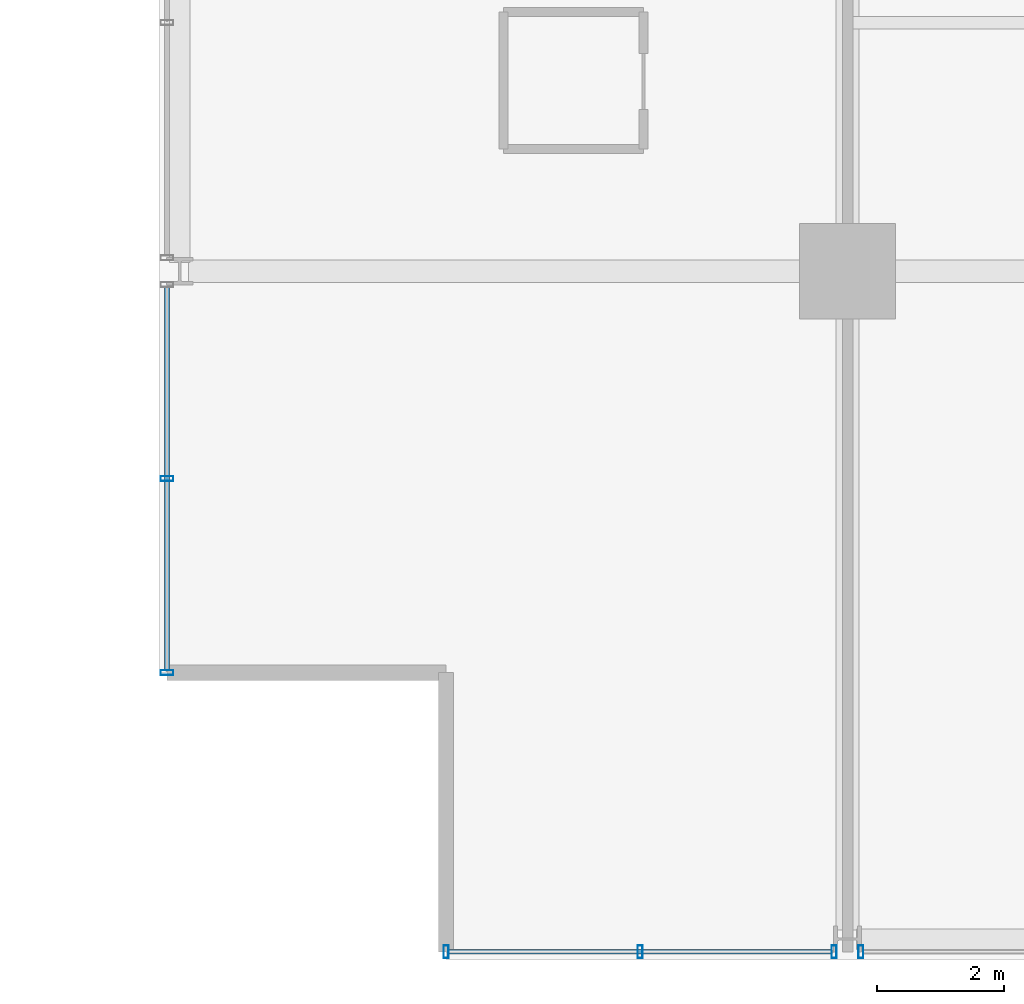
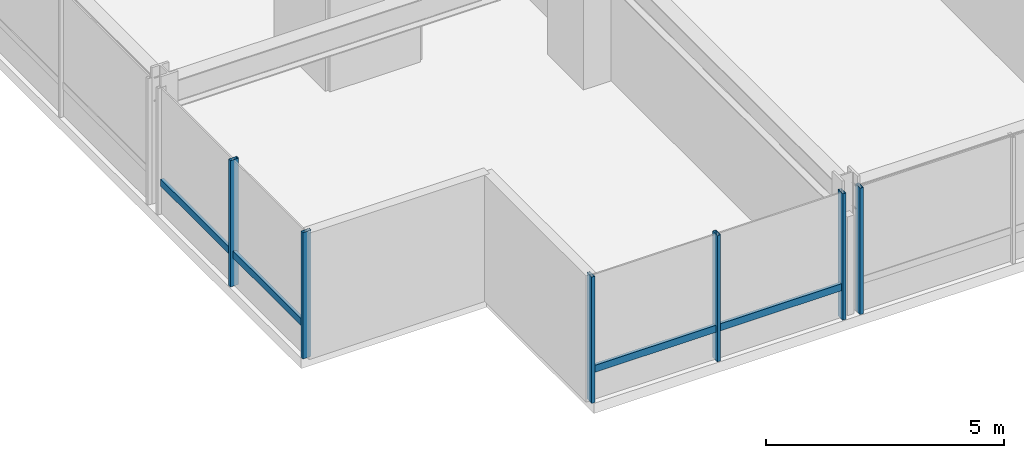
# One storey, part 2 of 35: 8 members, 3 elements without a shape of their own.
"""IFC4 building model written with IfcOpenShell, lengths in metres."""

from ifc_helpers import new_model, si_unit, direction, frame, origin, origin_2d, place, context, subcontext, project, spatial, hollow_rectangle, extrude, material, layer, layer_set, material_profile, profile_set, type_object, element, aggregate, save


model = new_model("IFC4")

# Units and contexts
model_context = context("Model", 3, precision=1e-05, world=origin(), true_north=direction((0.0, 1.0)))
body_context = subcontext(model_context, "Body", "Model", "MODEL_VIEW")
ifc_project = project(units=[si_unit("LENGTHUNIT", "METRE"), si_unit("AREAUNIT", "SQUARE_METRE"), si_unit("VOLUMEUNIT", "CUBIC_METRE"), si_unit("PLANEANGLEUNIT", "RADIAN"), si_unit("MASSUNIT", "GRAM", prefix="KILO")], contexts=[model_context])

# Site, building, storey
site_placement = place(None, origin())
site = spatial("IfcSite", under=ifc_project, at=site_placement, CompositionType="ELEMENT")
building_placement = place(site_placement, origin())
building = spatial("IfcBuilding", under=site, at=building_placement, Name="Drelvath Grand Hotel", CompositionType="ELEMENT")
storey_placement = place(building_placement, frame((0.0, 0.0, 130.300048828125)))
storey = spatial("IfcBuildingStorey", under=building, at=storey_placement, Name="L33", CompositionType="ELEMENT", Elevation=130.300048828125)

# Curtain wall, member
ifc_material = material(Name="Champagne Bronze Anodised Aluminium Frame", Category="aluminium")
ifc_layer = layer(ifc_material, 0.199951171875)
ifc_layer_set = layer_set([ifc_layer], Name="Champagne Bronze Anodised Aluminium Frame")
curtain_wall_type = type_object("IfcCurtainWallType", Name="Stick Curtain Wall CW-03 Champagne Bronze Mid-Rise", PredefinedType="NOTDEFINED", material=ifc_layer_set)
curtain_wall_1_placement = place(storey_placement, origin())
curtain_wall_1 = element("IfcCurtainWall", 1, at=curtain_wall_1_placement, inside=storey, type_object=curtain_wall_type, Name="L33 CW-03 Curtain Wall CW03-L33-WS1", PredefinedType="NOTDEFINED")
ifc_material_profile_1 = material_profile(ifc_material, hollow_rectangle(XDim=0.074951171875, YDim=0.179931640625, WallThickness=0.0048828125, at=origin_2d()), Name="HSS180X75X5")
ifc_profile_set_1 = profile_set([ifc_material_profile_1], Name="Champagne Bronze Anodised Aluminium Frame")
member_type_1 = type_object("IfcMemberType", Name="Curtain Wall Horizontal Transom CW-03 HSS180X75X5", PredefinedType="USERDEFINED", material=ifc_profile_set_1)
member_1_placement = place(storey_placement, frame((-26.8798828125, 4.5400390625, 0.81005859375), z_axis=(0.0, 1.0, 0.0), x_axis=(-1.0, 0.0, 0.0)))
member_1 = element("IfcMember", 2, at=member_1_placement, type_object=member_type_1, Name="CW03-L33-WS1 Sill Transom", ObjectType="TRANSOM", PredefinedType="USERDEFINED", context=body_context, shape_type="SweptSolid", body=[
    extrude(hollow_rectangle(XDim=0.074951171875, YDim=0.179931640625, WallThickness=0.0048828125, at=origin_2d()), origin(), (0.0, 0.0, 1.0), 6.010498046875),
])

curtain_wall_2_placement = place(storey_placement, origin())
curtain_wall_2 = element("IfcCurtainWall", 3, at=curtain_wall_2_placement, inside=storey, type_object=curtain_wall_type, Name="L33 CW-03 Curtain Wall CW03-L33-SW1", PredefinedType="NOTDEFINED")
member_2_placement = place(storey_placement, frame((-16.449462890625, 0.1201171875, 0.81005859375), z_axis=(-1.0, 0.0, 0.0), x_axis=(0.0, -1.0, 0.0)))
member_2 = element("IfcMember", 4, at=member_2_placement, type_object=member_type_1, Name="CW03-L33-SW1 Sill Transom", ObjectType="TRANSOM", PredefinedType="USERDEFINED", context=body_context, shape_type="SweptSolid", body=[
    extrude(hollow_rectangle(XDim=0.074951171875, YDim=0.179931640625, WallThickness=0.0048828125, at=origin_2d()), origin(), (0.0, 0.0, 1.0), 6.010498046875),
])

# Member
ifc_material_profile_2 = material_profile(ifc_material, hollow_rectangle(XDim=0.080078125, YDim=0.199951171875, WallThickness=0.0048828125, at=origin_2d()), Name="HSS200X80X5")
ifc_profile_set_2 = profile_set([ifc_material_profile_2], Name="Champagne Bronze Anodised Aluminium Frame")
member_type_2 = type_object("IfcMemberType", Name="Curtain Wall Vertical Mullion CW-03 HSS200X80X5", PredefinedType="MULLION", material=ifc_profile_set_2)
member_3_placement = place(storey_placement, frame((-26.8798828125, 4.5, 0.0), z_axis=(0.0, 0.0, 1.0), x_axis=(0.0, 1.0, 0.0)))
member_3 = element("IfcMember", 5, at=member_3_placement, type_object=member_type_2, Name="CW03-L33-WS1 Mullion 1", PredefinedType="MULLION", context=body_context, shape_type="SweptSolid", body=[
    extrude(hollow_rectangle(XDim=0.080078125, YDim=0.199951171875, WallThickness=0.0048828125, at=origin_2d()), origin(), (0.0, 0.0, 1.0), 3.239990234375),
])

member_4_placement = place(storey_placement, frame((-26.8798828125, 7.54541015625, 0.0), z_axis=(0.0, 0.0, 1.0), x_axis=(0.0, 1.0, 0.0)))
member_4 = element("IfcMember", 6, at=member_4_placement, type_object=member_type_2, Name="CW03-L33-WS1 Mullion 2", PredefinedType="MULLION", context=body_context, shape_type="SweptSolid", body=[
    extrude(hollow_rectangle(XDim=0.080078125, YDim=0.199951171875, WallThickness=0.0048828125, at=origin_2d()), origin(), (0.0, 0.0, 1.0), 3.239990234375),
])

aggregate(curtain_wall_1, [member_3, member_4, member_1])

member_5_placement = place(storey_placement, frame((-16.409423828125, 0.1201171875, 0.0), z_axis=(0.0, 0.0, 1.0), x_axis=(1.0, 0.0, 0.0)))
member_5 = element("IfcMember", 7, at=member_5_placement, type_object=member_type_2, Name="CW03-L33-SW1 Mullion 1", PredefinedType="MULLION", context=body_context, shape_type="SweptSolid", body=[
    extrude(hollow_rectangle(XDim=0.080078125, YDim=0.199951171875, WallThickness=0.0048828125, at=origin_2d()), origin(), (0.0, 0.0, 1.0), 3.239990234375),
])

member_6_placement = place(storey_placement, frame((-19.45458984375, 0.1201171875, 0.0), z_axis=(0.0, 0.0, 1.0), x_axis=(1.0, 0.0, 0.0)))
member_6 = element("IfcMember", 8, at=member_6_placement, type_object=member_type_2, Name="CW03-L33-SW1 Mullion 2", PredefinedType="MULLION", context=body_context, shape_type="SweptSolid", body=[
    extrude(hollow_rectangle(XDim=0.080078125, YDim=0.199951171875, WallThickness=0.0048828125, at=origin_2d()), origin(), (0.0, 0.0, 1.0), 3.239990234375),
])

member_7_placement = place(storey_placement, frame((-22.5, 0.1201171875, 0.0), z_axis=(0.0, 0.0, 1.0), x_axis=(1.0, 0.0, 0.0)))
member_7 = element("IfcMember", 9, at=member_7_placement, type_object=member_type_2, Name="CW03-L33-SW1 Mullion 3", PredefinedType="MULLION", context=body_context, shape_type="SweptSolid", body=[
    extrude(hollow_rectangle(XDim=0.080078125, YDim=0.199951171875, WallThickness=0.0048828125, at=origin_2d()), origin(), (0.0, 0.0, 1.0), 3.239990234375),
])

aggregate(curtain_wall_2, [member_5, member_6, member_7, member_2])

# Curtain wall, member
curtain_wall_3_placement = place(storey_placement, origin())
curtain_wall_3 = element("IfcCurtainWall", 10, at=curtain_wall_3_placement, inside=storey, type_object=curtain_wall_type, Name="L33 CW-03 Curtain Wall CW03-L33-SW2", PredefinedType="NOTDEFINED")
member_8_placement = place(storey_placement, frame((-15.990478515625, 0.1201171875, 0.0), z_axis=(0.0, 0.0, 1.0), x_axis=(1.0, 0.0, 0.0)))
member_8 = element("IfcMember", 11, at=member_8_placement, type_object=member_type_2, Name="CW03-L33-SW2 Mullion 3", PredefinedType="MULLION", context=body_context, shape_type="SweptSolid", body=[
    extrude(hollow_rectangle(XDim=0.080078125, YDim=0.199951171875, WallThickness=0.0048828125, at=origin_2d()), origin(), (0.0, 0.0, 1.0), 3.239990234375),
])
aggregate(curtain_wall_3, [member_8])

save(model, "model.ifc")
